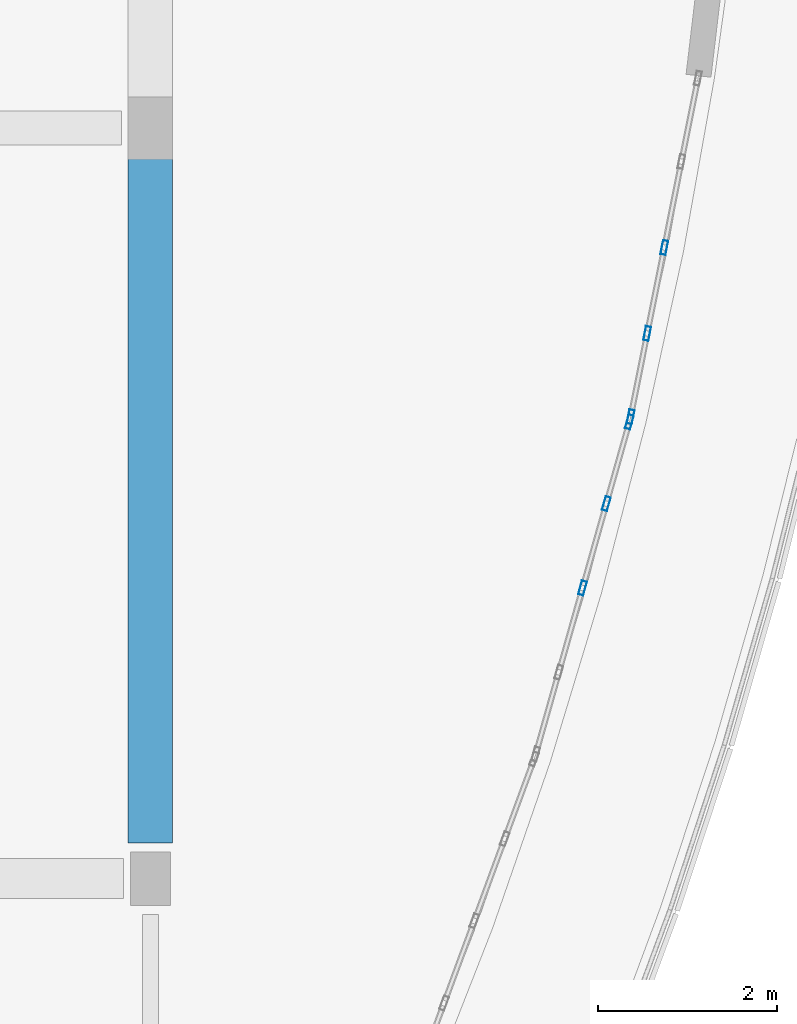
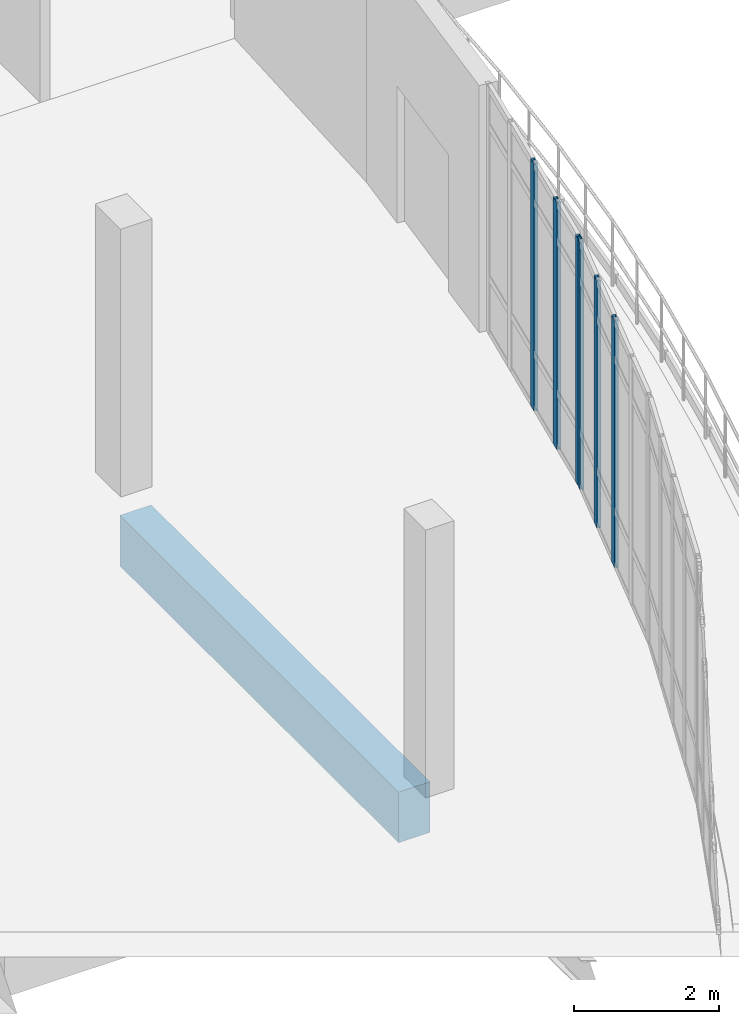
# One storey, part 60 of 134: 6 members, 1 beam, 2 elements without a shape of their own.
"""IFC4 building model written with IfcOpenShell, lengths in metres."""

from ifc_helpers import new_model, si_unit, direction, frame, origin, origin_2d, place, context, subcontext, project, spatial, rectangle, hollow_rectangle, extrude, material, material_profile, profile_set, type_object, element, aggregate, save


model = new_model("IFC4")

# Units and contexts
model_context = context("Model", 3, precision=1e-05, world=origin(), true_north=direction((0.0, 1.0)))
body_context = subcontext(model_context, "Body", "Model", "MODEL_VIEW")
ifc_project = project(units=[si_unit("LENGTHUNIT", "METRE"), si_unit("AREAUNIT", "SQUARE_METRE"), si_unit("VOLUMEUNIT", "CUBIC_METRE"), si_unit("PLANEANGLEUNIT", "RADIAN"), si_unit("MASSUNIT", "GRAM", prefix="KILO")], contexts=[model_context])

# Site, building, storey
site_placement = place(None, origin())
site = spatial("IfcSite", under=ifc_project, at=site_placement, CompositionType="ELEMENT")
building_placement = place(site_placement, origin())
building = spatial("IfcBuilding", under=site, at=building_placement, Name="Kalluvel Institute of Natural Sciences", CompositionType="ELEMENT")
storey_placement = place(building_placement, frame((0.0, 0.0, 5.39990234375)))
storey = spatial("IfcBuildingStorey", under=building, at=storey_placement, Name="L01", CompositionType="ELEMENT", Elevation=5.39990234375)

# Beam
ifc_material_1 = material(Name="Concrete M50", Category="concrete")
ifc_material_profile_1 = material_profile(ifc_material_1, rectangle(XDim=0.5, YDim=0.85009765625, at=origin_2d()), Name="RCB 500x850")
ifc_profile_set_1 = profile_set([ifc_material_profile_1], Name="Concrete M50")
beam_type = type_object("IfcBeamType", Name="BM-RC500x850", PredefinedType="BEAM", material=ifc_profile_set_1)
beam_placement = place(storey_placement, frame((78.800048828125, 86.39990234375, -0.744873046875), z_axis=(0.0, 1.0, 0.0), x_axis=(-1.0, 0.0, 0.0)))
element("IfcBeam", 1, at=beam_placement, inside=storey, type_object=beam_type, Name="L01 girder GIR-L01-NS-X788-Y860", PredefinedType="BEAM", context=body_context, shape_type="SweptSolid", body=[
    extrude(rectangle(XDim=0.5, YDim=0.85009765625, at=origin_2d()), origin(), (0.0, 0.0, 1.0), 7.675048828125),
])

# Curtain wall, members
ifc_material_2 = material(Name="Aluminium AW-6063 T6", Category="aluminium")
curtain_wall_type = type_object("IfcCurtainWallType", Name="CW-ATR-ARC", PredefinedType="USERDEFINED", material=ifc_material_2)
curtain_wall_1_placement = place(storey_placement, origin())
curtain_wall_1 = element("IfcCurtainWall", 2, at=curtain_wall_1_placement, inside=storey, type_object=curtain_wall_type, Name="L01 Gothic lancet curtain wall CWA-L01-X831-Y874", ObjectType="UNITISED LANCET FACADE", PredefinedType="USERDEFINED")
ifc_material_profile_2 = material_profile(ifc_material_2, hollow_rectangle(XDim=0.06005859375, YDim=0.159912109375, WallThickness=0.00390625, at=origin_2d()), Name="CWM 60x160")
ifc_profile_set_2 = profile_set([ifc_material_profile_2], Name="Aluminium AW-6063 T6")
member_type = type_object("IfcMemberType", Name="CWM-60x160", PredefinedType="MULLION", material=ifc_profile_set_2)
member_1_placement = place(storey_placement, frame((83.6376953125, 89.251953125, 0.0), z_axis=(0.0, 0.0, 1.0), x_axis=(-0.962455483212, 0.271439574924, 0.0)))
member_1 = element("IfcMember", 3, at=member_1_placement, type_object=member_type, Name="CW-05 mullion 3", PredefinedType="MULLION", context=body_context, shape_type="SweptSolid", body=[
    extrude(hollow_rectangle(XDim=0.06005859375, YDim=0.159912109375, WallThickness=0.00390625, at=origin_2d()), origin(), (0.0, 0.0, 1.0), 4.150146484375),
])
member_2_placement = place(storey_placement, frame((83.90380859375, 90.19580078125, 0.0), z_axis=(0.0, 0.0, 1.0), x_axis=(-0.962455483212, 0.271439574924, 0.0)))
member_2 = element("IfcMember", 4, at=member_2_placement, type_object=member_type, Name="CW-05 mullion 4", PredefinedType="MULLION", context=body_context, shape_type="SweptSolid", body=[
    extrude(hollow_rectangle(XDim=0.06005859375, YDim=0.159912109375, WallThickness=0.00390625, at=origin_2d()), origin(), (0.0, 0.0, 1.0), 4.150146484375),
])
member_3_placement = place(storey_placement, frame((84.161865234375, 91.110595703125, 0.0), z_axis=(0.0, 0.0, 1.0), x_axis=(-0.962455483212, 0.271439574924, 0.0)))
member_3 = element("IfcMember", 5, at=member_3_placement, type_object=member_type, Name="CW-05 mullion 5", PredefinedType="MULLION", context=body_context, shape_type="SweptSolid", body=[
    extrude(hollow_rectangle(XDim=0.06005859375, YDim=0.159912109375, WallThickness=0.00390625, at=origin_2d()), origin(), (0.0, 0.0, 1.0), 4.150146484375),
])
aggregate(curtain_wall_1, [member_1, member_2, member_3])

curtain_wall_2_placement = place(storey_placement, origin())
curtain_wall_2 = element("IfcCurtainWall", 6, at=curtain_wall_2_placement, inside=storey, type_object=curtain_wall_type, Name="L01 Gothic lancet curtain wall CWA-L01-X842-Y911", ObjectType="UNITISED LANCET FACADE", PredefinedType="USERDEFINED")
member_4_placement = place(storey_placement, frame((84.17578125, 91.1689453125, 0.0), z_axis=(0.0, 0.0, 1.0), x_axis=(-0.980788022263, 0.195076537251, 0.0)))
member_4 = element("IfcMember", 7, at=member_4_placement, type_object=member_type, Name="CW-05 mullion 1", PredefinedType="MULLION", context=body_context, shape_type="SweptSolid", body=[
    extrude(hollow_rectangle(XDim=0.06005859375, YDim=0.159912109375, WallThickness=0.00390625, at=origin_2d()), origin(), (0.0, 0.0, 1.0), 4.150146484375),
])
member_5_placement = place(storey_placement, frame((84.361083984375, 92.10107421875, 0.0), z_axis=(0.0, 0.0, 1.0), x_axis=(-0.980788022263, 0.195076537251, 0.0)))
member_5 = element("IfcMember", 8, at=member_5_placement, type_object=member_type, Name="CW-05 mullion 2", PredefinedType="MULLION", context=body_context, shape_type="SweptSolid", body=[
    extrude(hollow_rectangle(XDim=0.06005859375, YDim=0.159912109375, WallThickness=0.00390625, at=origin_2d()), origin(), (0.0, 0.0, 1.0), 4.150146484375),
])
member_6_placement = place(storey_placement, frame((84.552490234375, 93.062744140625, 0.0), z_axis=(0.0, 0.0, 1.0), x_axis=(-0.980788022263, 0.195076537251, 0.0)))
member_6 = element("IfcMember", 9, at=member_6_placement, type_object=member_type, Name="CW-05 mullion 3", PredefinedType="MULLION", context=body_context, shape_type="SweptSolid", body=[
    extrude(hollow_rectangle(XDim=0.06005859375, YDim=0.159912109375, WallThickness=0.00390625, at=origin_2d()), origin(), (0.0, 0.0, 1.0), 4.150146484375),
])
aggregate(curtain_wall_2, [member_4, member_5, member_6])

save(model, "model.ifc")
